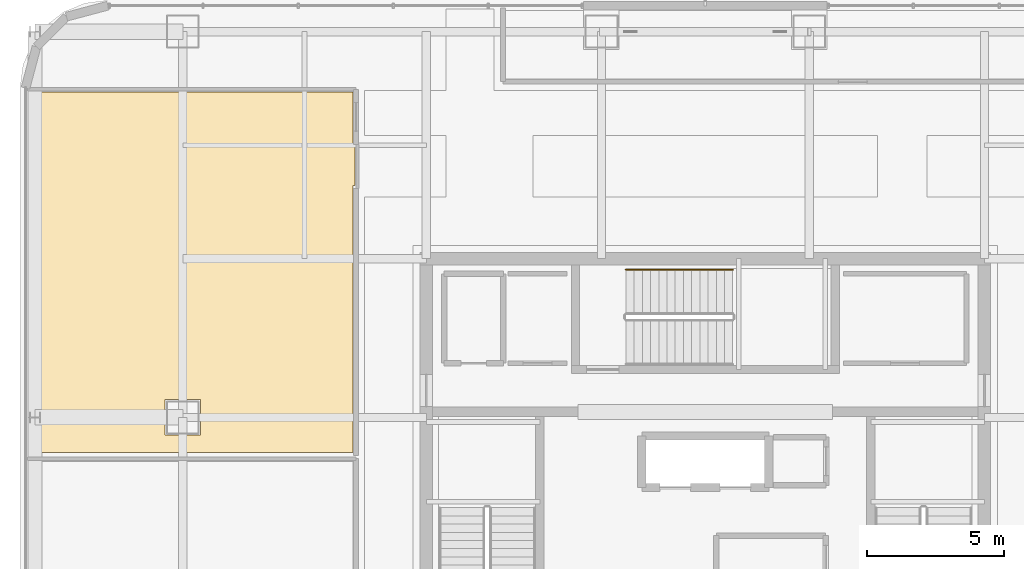
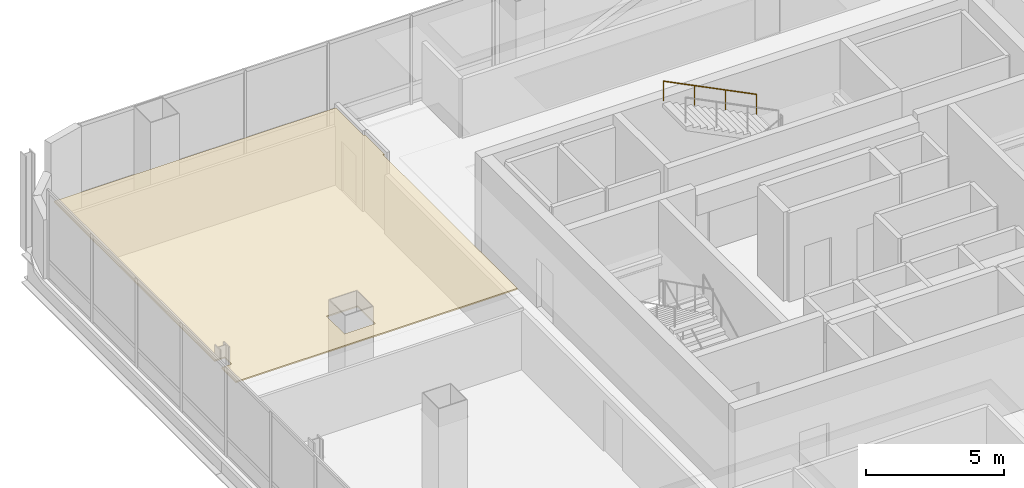
# One storey, part 44 of 46: 1 covering, 1 railing.
"""IFC4 building model written with IfcOpenShell, lengths in metres."""

import ifcopenshell
import ifcopenshell.guid

model = None  # the IFC model being written
_history = None  # IfcOwnerHistory: only IFC2X3 demands one
_inside = {}  # id of a spatial element -> (the spatial element, [elements in it])
_under = {}  # id of a project, library or spatial element -> (it, [spatial elements below it])
_declared = {}  # id of a project -> (the project, [libraries it declares])
_typed = {}  # id of a type object -> (the type object, [elements of that type])
_made_of = {}  # id of a material, layer set ... -> (it, [elements and type objects made of it])


def new_model(schema):
    """Start an empty IFC model of exactly this schema.

    Asked for "IFC4X3", IfcOpenShell would pick the latest addendum, in which some entities
    have other attributes; the version numbers below select the first issue.
    IFC2X3 requires an IfcOwnerHistory on every rooted entity: one is made here for all.
    """
    global model, _history
    if schema == "IFC4X3":
        model = ifcopenshell.file(schema_version=(4, 3, 0, 0))
    else:
        model = ifcopenshell.file(schema=schema)
    _inside.clear()
    _under.clear()
    _declared.clear()
    _typed.clear()
    _made_of.clear()
    _history = None
    if model.schema == "IFC2X3":
        org = make("IfcOrganization", Name="unknown")
        user = make(
            "IfcPersonAndOrganization",
            ThePerson=make("IfcPerson", FamilyName="unknown"),
            TheOrganization=org,
        )
        app = make(
            "IfcApplication",
            ApplicationDeveloper=org,
            Version="unknown",
            ApplicationFullName="unknown",
            ApplicationIdentifier="unknown",
        )
        _history = make(
            "IfcOwnerHistory",
            OwningUser=user,
            OwningApplication=app,
            ChangeAction="ADDED",
            CreationDate=0,
        )
    return model


def make(cls, **values):
    """One entity of the class cls with the attributes given. An attribute that is None is left unset."""
    return model.create_entity(
        cls, **{name: value for name, value in values.items() if value is not None}
    )


def rooted(cls, **values):
    """An entity with a GlobalId (a new one), such as an element, a storey or a relation."""
    return make(cls, GlobalId=ifcopenshell.guid.new(), OwnerHistory=_history, **values)


def si_unit(unit_type, name, prefix=None):
    """IfcSIUnit, for example si_unit("LENGTHUNIT", "METRE", prefix="MILLI")."""
    return make("IfcSIUnit", UnitType=unit_type, Prefix=prefix, Name=name)


def assignment(units):
    """IfcUnitAssignment: the units of a project."""
    return None if units is None else make("IfcUnitAssignment", Units=units)


def point(xyz):
    """IfcCartesianPoint."""
    return None if xyz is None else make("IfcCartesianPoint", Coordinates=xyz)


def direction(xyz):
    """IfcDirection."""
    return None if xyz is None else make("IfcDirection", DirectionRatios=xyz)


def frame(location, z_axis=None, x_axis=None):
    """IfcAxis2Placement3D, a coordinate frame: its origin and axes. An axis left out is left unset."""
    return make(
        "IfcAxis2Placement3D",
        Location=point(location),
        Axis=direction(z_axis),
        RefDirection=direction(x_axis),
    )


def frame_2d(location, x_axis=None):
    """IfcAxis2Placement2D, a coordinate frame in the plane: its origin and x axis."""
    return make(
        "IfcAxis2Placement2D", Location=point(location), RefDirection=direction(x_axis)
    )


def origin():
    """The frame at (0, 0, 0) with its axes left unset."""
    return frame((0.0, 0.0, 0.0))


def origin_2d():
    """The frame at (0, 0) in the plane with its x axis left unset."""
    return frame_2d((0.0, 0.0))


def place(relative_to, where):
    """IfcLocalPlacement: puts the frame where relative to a parent placement (None: the world)."""
    return make(
        "IfcLocalPlacement", PlacementRelTo=relative_to, RelativePlacement=where
    )


def context(
    kind, dimensions, precision=None, world=None, true_north=None, identifier=None
):
    """IfcGeometricRepresentationContext, for example the 3D "Model" context."""
    return make(
        "IfcGeometricRepresentationContext",
        ContextIdentifier=identifier,
        ContextType=kind,
        CoordinateSpaceDimension=dimensions,
        Precision=precision,
        WorldCoordinateSystem=world,
        TrueNorth=true_north,
    )


def subcontext(parent, identifier, kind, view, scale=None):
    """IfcGeometricRepresentationSubContext, for example "Body" below "Model"."""
    return make(
        "IfcGeometricRepresentationSubContext",
        ContextIdentifier=identifier,
        ContextType=kind,
        ParentContext=parent,
        TargetScale=scale,
        TargetView=view,
    )


def project(units=None, contexts=None):
    """IfcProject with its units and contexts."""
    return rooted(
        "IfcProject",
        Name="project",
        RepresentationContexts=contexts,
        UnitsInContext=assignment(units),
    )


def spatial(cls, under=None, at=None, **own):
    """A site, building, storey or space (cls), placed at a placement, below another one or the project."""
    s = rooted(cls, ObjectPlacement=at, **own)
    if under is not None:
        _under.setdefault(under.id(), (under, []))[1].append(s)
    return s


def polyline(points):
    """IfcPolyline through the points."""
    return make("IfcPolyline", Points=[point(p) for p in points])


def profile(cls, at=None, kind="AREA", **sizes):
    """A parametric profile (cls). Its sizes go by their IFC names, for example OverallWidth=200.0."""
    return make(cls, ProfileType=kind, Position=at, **sizes)


def circle(**sizes):
    """IfcCircleProfileDef."""
    return profile("IfcCircleProfileDef", **sizes)


def outline(outer, holes=None, kind="AREA"):
    """IfcArbitraryClosedProfileDef: a profile drawn as a closed curve; with holes, ...WithVoids."""
    if holes is None:
        return make("IfcArbitraryClosedProfileDef", ProfileType=kind, OuterCurve=outer)
    return make(
        "IfcArbitraryProfileDefWithVoids",
        ProfileType=kind,
        OuterCurve=outer,
        InnerCurves=holes,
    )


def extrude(swept, where, along, depth):
    """IfcExtrudedAreaSolid: the profile swept, set in the frame where, extruded along a direction by depth."""
    return make(
        "IfcExtrudedAreaSolid",
        SweptArea=swept,
        Position=where,
        ExtrudedDirection=direction(along),
        Depth=depth,
    )


def shape(context_of_items, identifier, shape_type, items):
    """IfcShapeRepresentation: the items that make up one representation, for example the "Body"."""
    return make(
        "IfcShapeRepresentation",
        ContextOfItems=context_of_items,
        RepresentationIdentifier=identifier,
        RepresentationType=shape_type,
        Items=items,
    )


def material(Name=None, Category=None):
    """IfcMaterial."""
    return make("IfcMaterial", Name=Name, Category=Category)


def layer(
    of_material, thickness, ventilated=None, Name=None, Category=None, Priority=None
):
    """IfcMaterialLayer: one layer of a wall or slab, of a material (None: an air gap)."""
    return make(
        "IfcMaterialLayer",
        Material=of_material,
        LayerThickness=thickness,
        IsVentilated=ventilated,
        Name=Name,
        Category=Category,
        Priority=Priority,
    )


def layer_set(layers, Name=None):
    """IfcMaterialLayerSet."""
    return make("IfcMaterialLayerSet", MaterialLayers=layers, LayerSetName=Name)


def made_of(thing, what):
    """Note that an element or type object is made of a material, layer set ...; save() writes the relation."""
    if what is not None:
        _made_of.setdefault(what.id(), (what, []))[1].append(thing)
    return thing


def type_object(cls, material=None, **own):
    """A type object (cls), such as IfcWallType, which elements share."""
    return made_of(rooted(cls, **own), material)


def element(
    cls,
    number,
    at=None,
    inside=None,
    cuts=None,
    type_object=None,
    material=None,
    context=None,
    identifier="Body",
    shape_type=None,
    held_by="IfcProductDefinitionShape",
    body=None,
    shapes=None,
    **own,
):
    """One element of the class cls, such as IfcWall. Its Tag is "e" and its number.

    at: its placement. inside: the storey or other place that contains it. cuts: it is an
    opening in that element (IfcRelVoidsElement). A single representation is given by context,
    identifier, shape_type and body (its items); several are given by shapes. held_by: the class
    of the entity that holds the representations. save() writes the other relations.
    """
    e = rooted(cls, Tag="e%d" % number, ObjectPlacement=at, **own)
    if body is not None:
        shapes = [shape(context, identifier, shape_type, body)]
    if shapes is not None:
        e.Representation = make(held_by, Representations=shapes)
    if inside is not None:
        _inside.setdefault(inside.id(), (inside, []))[1].append(e)
    if cuts is not None:
        rooted(
            "IfcRelVoidsElement", RelatingBuildingElement=cuts, RelatedOpeningElement=e
        )
    if type_object is not None:
        _typed.setdefault(type_object.id(), (type_object, []))[1].append(e)
    return made_of(e, material)


def aggregate(whole, parts):
    """IfcRelAggregates: a whole, such as a stair, and the parts it consists of."""
    return rooted("IfcRelAggregates", RelatingObject=whole, RelatedObjects=parts)


def save(model, path):
    """Write the relations noted so far, then the file.

    IfcRelAggregates (storeys below a building ...), IfcRelContainedInSpatialStructure (elements
    in a storey), IfcRelDefinesByType, IfcRelAssociatesMaterial and IfcRelDeclares: one each for
    every whole, place, type object, material and project.
    """
    for whole, parts in _under.values():
        aggregate(whole, parts)
    for where, things in _inside.values():
        rooted(
            "IfcRelContainedInSpatialStructure",
            RelatedElements=things,
            RelatingStructure=where,
        )
    for kind, things in _typed.values():
        rooted("IfcRelDefinesByType", RelatedObjects=things, RelatingType=kind)
    for what, things in _made_of.values():
        rooted("IfcRelAssociatesMaterial", RelatedObjects=things, RelatingMaterial=what)
    for by, libraries in _declared.values():
        rooted("IfcRelDeclares", RelatingContext=by, RelatedDefinitions=libraries)
    model.write(path)


model = new_model("IFC4")

# Units and contexts
model_context = context("Model", 3, precision=1e-05, world=origin(), true_north=direction((0.0, 1.0)))
body_context = subcontext(model_context, "Body", "Model", "MODEL_VIEW")
ifc_project = project(units=[si_unit("LENGTHUNIT", "METRE"), si_unit("AREAUNIT", "SQUARE_METRE"), si_unit("VOLUMEUNIT", "CUBIC_METRE"), si_unit("PLANEANGLEUNIT", "RADIAN"), si_unit("MASSUNIT", "GRAM", prefix="KILO")], contexts=[model_context])

# Site, building, storey
site_placement = place(None, origin())
site = spatial("IfcSite", under=ifc_project, at=site_placement, CompositionType="ELEMENT")
building_placement = place(site_placement, origin())
building = spatial("IfcBuilding", under=site, at=building_placement, Name="Punatoya Terracotta Tower", CompositionType="ELEMENT")
storey_placement = place(building_placement, frame((0.0, 0.0, 330.0)))
storey = spatial("IfcBuildingStorey", under=building, at=storey_placement, Name="L78", CompositionType="ELEMENT", Elevation=330.0)

# Covering
ifc_material_1 = material(Name="Acoustic Mineral Fibre Ceiling")
ifc_layer = layer(ifc_material_1, 0.06005859375)
ifc_layer_set = layer_set([ifc_layer], Name="Acoustic Mineral Fibre Ceiling")
covering_type = type_object("IfcCoveringType", Name="COV-CEIL-60", PredefinedType="CEILING", material=ifc_layer_set)
covering_placement = place(storey_placement, frame((0.0, 0.0, 3.389892578125)))
element("IfcCovering", 1, at=covering_placement, inside=storey, type_object=covering_type, Name="L78 Wellness Rest Room Acoustic Ceiling", PredefinedType="CEILING", context=body_context, shape_type="SweptSolid", body=[
    extrude(outline(polyline([(-12.8701171875, 11.8701171875), (-12.81005859375, 11.8701171875), (-12.81005859375, 13.280029296875), (-12.8701171875, 13.280029296875), (-12.8701171875, 15.2900390625), (-24.669921875, 15.2900390625), (-24.669921875, 3.657958984375), (-24.2470703125, 3.657958984375), (-24.2470703125, 3.14208984375), (-24.669921875, 3.14208984375), (-24.669921875, 2.110107421875), (-12.8701171875, 2.110107421875), (-12.8701171875, 11.8701171875)]), holes=[polyline([(-18.449951171875, 4.050048828125), (-18.449951171875, 2.75), (-19.75, 2.75), (-19.75, 4.050048828125), (-18.449951171875, 4.050048828125)])]), origin(), (0.0, 0.0, 1.0), 0.06005859375),
])

# Railing
ifc_material_2 = material(Name="Steel S355", Category="steel")
railing_type = type_object("IfcRailingType", Name="RLG-HND-900", PredefinedType="HANDRAIL", material=ifc_material_2)
railing_placement = place(storey_placement, frame((1.0, 8.800048828125, 2.25)))
element("IfcRailing", 2, at=railing_placement, inside=storey, type_object=railing_type, Name="L78 ST-3 stair handrail 2", PredefinedType="HANDRAIL", context=body_context, shape_type="SweptSolid", body=[
    extrude(circle(Radius=0.02392578125, at=origin_2d()), frame((0.0, 0.0, 0.8759765625), z_axis=(-0.894427191, 0.0, 0.4472135955), x_axis=(0.0, -1.0, 0.0)), (0.0, 0.0, 1.0), 4.360107421875),
    extrude(circle(Radius=0.02099609375, at=origin_2d()), origin(), (0.0, 0.0, 1.0), 0.851806640625),
    extrude(circle(Radius=0.02099609375, at=origin_2d()), frame((-1.300048828125, 0.0, 0.64990234375)), (0.0, 0.0, 1.0), 0.851806640625),
    extrude(circle(Radius=0.02099609375, at=origin_2d()), frame((-2.599853515625, 0.0, 1.300048828125)), (0.0, 0.0, 1.0), 0.851806640625),
    extrude(circle(Radius=0.02099609375, at=origin_2d()), frame((-3.89990234375, 0.0, 1.949951171875)), (0.0, 0.0, 1.0), 0.851806640625),
])

save(model, "model.ifc")
